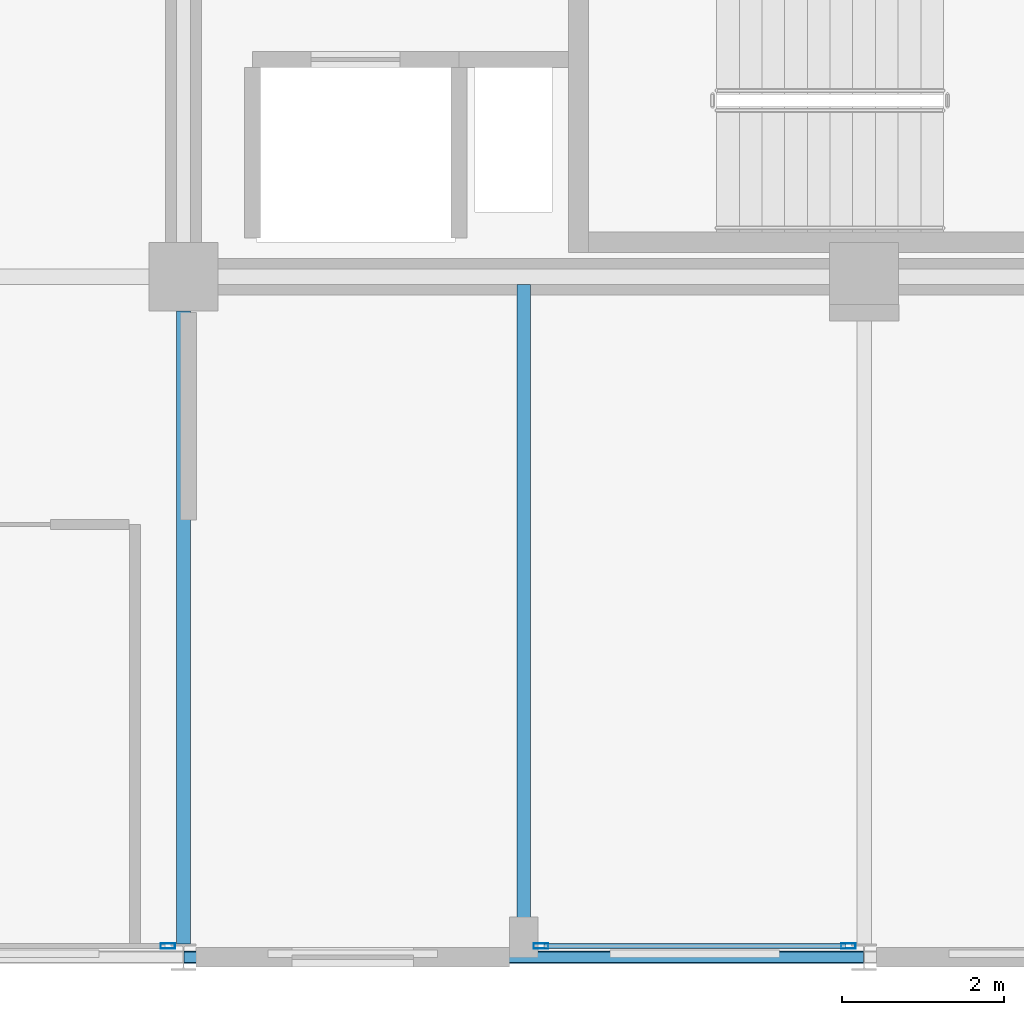
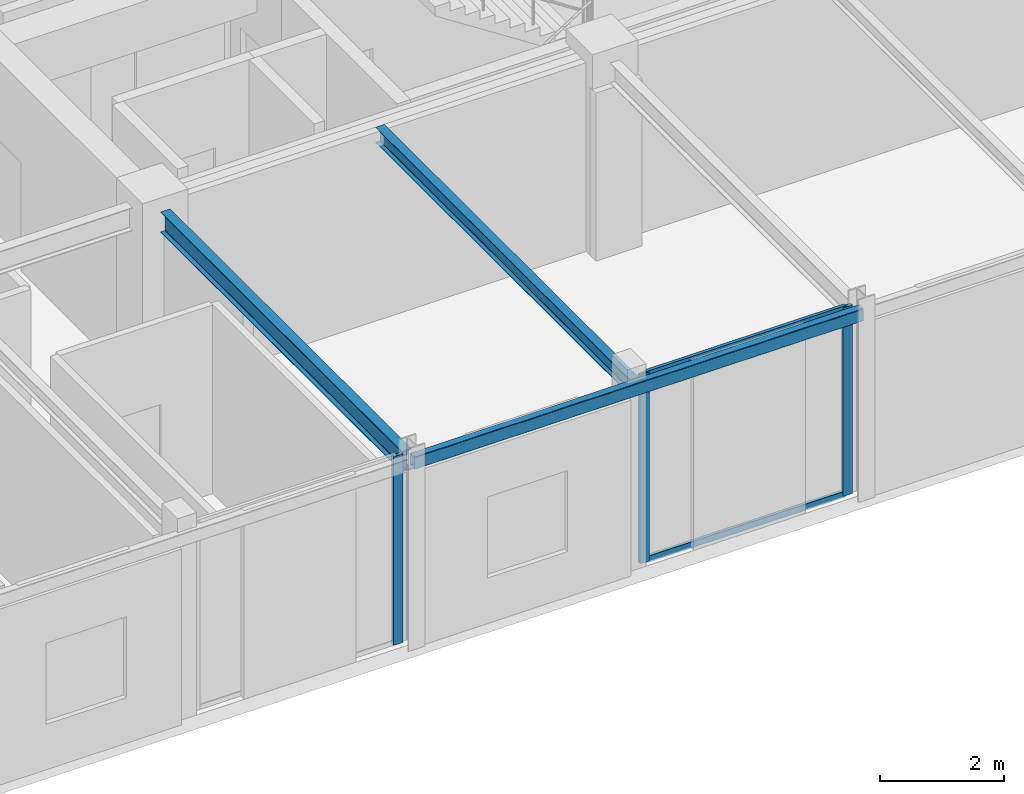
# One storey, part 7 of 26: 5 members, 3 beams, 2 elements without a shape of their own.
"""IFC4 building model written with IfcOpenShell, lengths in metres."""

import ifcopenshell
import ifcopenshell.guid

model = None  # the IFC model being written
_history = None  # IfcOwnerHistory: only IFC2X3 demands one
_inside = {}  # id of a spatial element -> (the spatial element, [elements in it])
_under = {}  # id of a project, library or spatial element -> (it, [spatial elements below it])
_declared = {}  # id of a project -> (the project, [libraries it declares])
_typed = {}  # id of a type object -> (the type object, [elements of that type])
_made_of = {}  # id of a material, layer set ... -> (it, [elements and type objects made of it])


def new_model(schema):
    """Start an empty IFC model of exactly this schema.

    Asked for "IFC4X3", IfcOpenShell would pick the latest addendum, in which some entities
    have other attributes; the version numbers below select the first issue.
    IFC2X3 requires an IfcOwnerHistory on every rooted entity: one is made here for all.
    """
    global model, _history
    if schema == "IFC4X3":
        model = ifcopenshell.file(schema_version=(4, 3, 0, 0))
    else:
        model = ifcopenshell.file(schema=schema)
    _inside.clear()
    _under.clear()
    _declared.clear()
    _typed.clear()
    _made_of.clear()
    _history = None
    if model.schema == "IFC2X3":
        org = make("IfcOrganization", Name="unknown")
        user = make(
            "IfcPersonAndOrganization",
            ThePerson=make("IfcPerson", FamilyName="unknown"),
            TheOrganization=org,
        )
        app = make(
            "IfcApplication",
            ApplicationDeveloper=org,
            Version="unknown",
            ApplicationFullName="unknown",
            ApplicationIdentifier="unknown",
        )
        _history = make(
            "IfcOwnerHistory",
            OwningUser=user,
            OwningApplication=app,
            ChangeAction="ADDED",
            CreationDate=0,
        )
    return model


def make(cls, **values):
    """One entity of the class cls with the attributes given. An attribute that is None is left unset."""
    return model.create_entity(
        cls, **{name: value for name, value in values.items() if value is not None}
    )


def rooted(cls, **values):
    """An entity with a GlobalId (a new one), such as an element, a storey or a relation."""
    return make(cls, GlobalId=ifcopenshell.guid.new(), OwnerHistory=_history, **values)


def si_unit(unit_type, name, prefix=None):
    """IfcSIUnit, for example si_unit("LENGTHUNIT", "METRE", prefix="MILLI")."""
    return make("IfcSIUnit", UnitType=unit_type, Prefix=prefix, Name=name)


def assignment(units):
    """IfcUnitAssignment: the units of a project."""
    return None if units is None else make("IfcUnitAssignment", Units=units)


def point(xyz):
    """IfcCartesianPoint."""
    return None if xyz is None else make("IfcCartesianPoint", Coordinates=xyz)


def direction(xyz):
    """IfcDirection."""
    return None if xyz is None else make("IfcDirection", DirectionRatios=xyz)


def frame(location, z_axis=None, x_axis=None):
    """IfcAxis2Placement3D, a coordinate frame: its origin and axes. An axis left out is left unset."""
    return make(
        "IfcAxis2Placement3D",
        Location=point(location),
        Axis=direction(z_axis),
        RefDirection=direction(x_axis),
    )


def frame_2d(location, x_axis=None):
    """IfcAxis2Placement2D, a coordinate frame in the plane: its origin and x axis."""
    return make(
        "IfcAxis2Placement2D", Location=point(location), RefDirection=direction(x_axis)
    )


def origin():
    """The frame at (0, 0, 0) with its axes left unset."""
    return frame((0.0, 0.0, 0.0))


def origin_2d():
    """The frame at (0, 0) in the plane with its x axis left unset."""
    return frame_2d((0.0, 0.0))


def place(relative_to, where):
    """IfcLocalPlacement: puts the frame where relative to a parent placement (None: the world)."""
    return make(
        "IfcLocalPlacement", PlacementRelTo=relative_to, RelativePlacement=where
    )


def context(
    kind, dimensions, precision=None, world=None, true_north=None, identifier=None
):
    """IfcGeometricRepresentationContext, for example the 3D "Model" context."""
    return make(
        "IfcGeometricRepresentationContext",
        ContextIdentifier=identifier,
        ContextType=kind,
        CoordinateSpaceDimension=dimensions,
        Precision=precision,
        WorldCoordinateSystem=world,
        TrueNorth=true_north,
    )


def subcontext(parent, identifier, kind, view, scale=None):
    """IfcGeometricRepresentationSubContext, for example "Body" below "Model"."""
    return make(
        "IfcGeometricRepresentationSubContext",
        ContextIdentifier=identifier,
        ContextType=kind,
        ParentContext=parent,
        TargetScale=scale,
        TargetView=view,
    )


def project(units=None, contexts=None):
    """IfcProject with its units and contexts."""
    return rooted(
        "IfcProject",
        Name="project",
        RepresentationContexts=contexts,
        UnitsInContext=assignment(units),
    )


def spatial(cls, under=None, at=None, **own):
    """A site, building, storey or space (cls), placed at a placement, below another one or the project."""
    s = rooted(cls, ObjectPlacement=at, **own)
    if under is not None:
        _under.setdefault(under.id(), (under, []))[1].append(s)
    return s


def profile(cls, at=None, kind="AREA", **sizes):
    """A parametric profile (cls). Its sizes go by their IFC names, for example OverallWidth=200.0."""
    return make(cls, ProfileType=kind, Position=at, **sizes)


def hollow_rectangle(**sizes):
    """IfcRectangleHollowProfileDef."""
    return profile("IfcRectangleHollowProfileDef", **sizes)


def i_section(**sizes):
    """IfcIShapeProfileDef."""
    return profile("IfcIShapeProfileDef", **sizes)


def extrude(swept, where, along, depth):
    """IfcExtrudedAreaSolid: the profile swept, set in the frame where, extruded along a direction by depth."""
    return make(
        "IfcExtrudedAreaSolid",
        SweptArea=swept,
        Position=where,
        ExtrudedDirection=direction(along),
        Depth=depth,
    )


def shape(context_of_items, identifier, shape_type, items):
    """IfcShapeRepresentation: the items that make up one representation, for example the "Body"."""
    return make(
        "IfcShapeRepresentation",
        ContextOfItems=context_of_items,
        RepresentationIdentifier=identifier,
        RepresentationType=shape_type,
        Items=items,
    )


def material(Name=None, Category=None):
    """IfcMaterial."""
    return make("IfcMaterial", Name=Name, Category=Category)


def layer(
    of_material, thickness, ventilated=None, Name=None, Category=None, Priority=None
):
    """IfcMaterialLayer: one layer of a wall or slab, of a material (None: an air gap)."""
    return make(
        "IfcMaterialLayer",
        Material=of_material,
        LayerThickness=thickness,
        IsVentilated=ventilated,
        Name=Name,
        Category=Category,
        Priority=Priority,
    )


def layer_set(layers, Name=None):
    """IfcMaterialLayerSet."""
    return make("IfcMaterialLayerSet", MaterialLayers=layers, LayerSetName=Name)


def material_profile(
    of_material, cross_section, Name=None, Category=None, Priority=None
):
    """IfcMaterialProfile: a cross section and its material."""
    return make(
        "IfcMaterialProfile",
        Name=Name,
        Material=of_material,
        Profile=cross_section,
        Priority=Priority,
        Category=Category,
    )


def profile_set(profiles, Name=None, composite=None):
    """IfcMaterialProfileSet."""
    return make(
        "IfcMaterialProfileSet",
        Name=Name,
        MaterialProfiles=profiles,
        CompositeProfile=composite,
    )


def made_of(thing, what):
    """Note that an element or type object is made of a material, layer set ...; save() writes the relation."""
    if what is not None:
        _made_of.setdefault(what.id(), (what, []))[1].append(thing)
    return thing


def type_object(cls, material=None, **own):
    """A type object (cls), such as IfcWallType, which elements share."""
    return made_of(rooted(cls, **own), material)


def element(
    cls,
    number,
    at=None,
    inside=None,
    cuts=None,
    type_object=None,
    material=None,
    context=None,
    identifier="Body",
    shape_type=None,
    held_by="IfcProductDefinitionShape",
    body=None,
    shapes=None,
    **own,
):
    """One element of the class cls, such as IfcWall. Its Tag is "e" and its number.

    at: its placement. inside: the storey or other place that contains it. cuts: it is an
    opening in that element (IfcRelVoidsElement). A single representation is given by context,
    identifier, shape_type and body (its items); several are given by shapes. held_by: the class
    of the entity that holds the representations. save() writes the other relations.
    """
    e = rooted(cls, Tag="e%d" % number, ObjectPlacement=at, **own)
    if body is not None:
        shapes = [shape(context, identifier, shape_type, body)]
    if shapes is not None:
        e.Representation = make(held_by, Representations=shapes)
    if inside is not None:
        _inside.setdefault(inside.id(), (inside, []))[1].append(e)
    if cuts is not None:
        rooted(
            "IfcRelVoidsElement", RelatingBuildingElement=cuts, RelatedOpeningElement=e
        )
    if type_object is not None:
        _typed.setdefault(type_object.id(), (type_object, []))[1].append(e)
    return made_of(e, material)


def aggregate(whole, parts):
    """IfcRelAggregates: a whole, such as a stair, and the parts it consists of."""
    return rooted("IfcRelAggregates", RelatingObject=whole, RelatedObjects=parts)


def save(model, path):
    """Write the relations noted so far, then the file.

    IfcRelAggregates (storeys below a building ...), IfcRelContainedInSpatialStructure (elements
    in a storey), IfcRelDefinesByType, IfcRelAssociatesMaterial and IfcRelDeclares: one each for
    every whole, place, type object, material and project.
    """
    for whole, parts in _under.values():
        aggregate(whole, parts)
    for where, things in _inside.values():
        rooted(
            "IfcRelContainedInSpatialStructure",
            RelatedElements=things,
            RelatingStructure=where,
        )
    for kind, things in _typed.values():
        rooted("IfcRelDefinesByType", RelatedObjects=things, RelatingType=kind)
    for what, things in _made_of.values():
        rooted("IfcRelAssociatesMaterial", RelatedObjects=things, RelatingMaterial=what)
    for by, libraries in _declared.values():
        rooted("IfcRelDeclares", RelatingContext=by, RelatedDefinitions=libraries)
    model.write(path)


model = new_model("IFC4")

# Units and contexts
model_context = context("Model", 3, precision=1e-05, world=origin(), true_north=direction((0.0, 1.0)))
body_context = subcontext(model_context, "Body", "Model", "MODEL_VIEW")
ifc_project = project(units=[si_unit("LENGTHUNIT", "METRE"), si_unit("AREAUNIT", "SQUARE_METRE"), si_unit("VOLUMEUNIT", "CUBIC_METRE"), si_unit("PLANEANGLEUNIT", "RADIAN"), si_unit("MASSUNIT", "GRAM", prefix="KILO")], contexts=[model_context])

# Site, building, storey
site_placement = place(None, origin())
site = spatial("IfcSite", under=ifc_project, at=site_placement, CompositionType="ELEMENT")
building_placement = place(site_placement, origin())
building = spatial("IfcBuilding", under=site, at=building_placement, Name="Nerrivon Quay Data Exchange", CompositionType="ELEMENT")
storey_placement = place(building_placement, frame((0.0, 0.0, 274.199951171875)))
storey = spatial("IfcBuildingStorey", under=building, at=storey_placement, Name="L65", CompositionType="ELEMENT", Elevation=274.199951171875)

# Beams
ifc_material_1 = material(Name="Steel Grade 350", Category="steel")
ifc_material_profile_1 = material_profile(ifc_material_1, i_section(OverallWidth=0.177978515625, OverallDepth=0.406005859375, WebThickness=0.0078125, FlangeThickness=0.0126953125, FilletRadius=0.011474609375, at=origin_2d()), Name="410UB59.7")
ifc_profile_set_1 = profile_set([ifc_material_profile_1], Name="Steel Grade 350")
beam_type_1 = type_object("IfcBeamType", Name="BM-J1-410UB60", PredefinedType="JOIST", material=ifc_profile_set_1)
beam_1_placement = place(storey_placement, frame((16.800048828125, 0.16357421875, 3.52197265625), z_axis=(0.0, 1.0, 0.0), x_axis=(-1.0, 0.0, 0.0)))
element("IfcBeam", 1, at=beam_1_placement, inside=storey, type_object=beam_type_1, Name="L65 NS Girder X=16.8 (0.0..8.4)", PredefinedType="JOIST", context=body_context, shape_type="SweptSolid", body=[
    extrude(i_section(OverallWidth=0.177978515625, OverallDepth=0.406005859375, WebThickness=0.0078125, FlangeThickness=0.0126953125, FilletRadius=0.011474609375, at=origin_2d()), origin(), (0.0, 0.0, 1.0), 7.8115234375),
])
ifc_material_profile_2 = material_profile(ifc_material_1, i_section(OverallWidth=0.1650390625, OverallDepth=0.303955078125, WebThickness=0.006103515625, FlangeThickness=0.01025390625, FilletRadius=0.011474609375, at=origin_2d()), Name="310UB40.4")
ifc_profile_set_2 = profile_set([ifc_material_profile_2], Name="Steel Grade 350")
beam_type_2 = type_object("IfcBeamType", Name="BM-J6-310UB40", PredefinedType="JOIST", material=ifc_profile_set_2)
beam_2_placement = place(storey_placement, frame((21.0, 0.074951171875, 3.572998046875), z_axis=(0.0, 1.0, 0.0), x_axis=(-1.0, 0.0, 0.0)))
element("IfcBeam", 2, at=beam_2_placement, inside=storey, type_object=beam_type_2, Name="L65 Secondary Joist X=21.0 (0.0..8.4)", PredefinedType="JOIST", context=body_context, shape_type="SweptSolid", body=[
    extrude(i_section(OverallWidth=0.1650390625, OverallDepth=0.303955078125, WebThickness=0.006103515625, FlangeThickness=0.01025390625, FilletRadius=0.011474609375, at=origin_2d()), origin(), (0.0, 0.0, 1.0), 8.22998046875),
])
ifc_material_2 = material(Name="Steel Grade C350L0 (350 MPa)", Category="steel")
ifc_material_profile_3 = material_profile(ifc_material_2, hollow_rectangle(XDim=0.14990234375, YDim=0.25, WallThickness=0.009033203125, InnerFilletRadius=0.013427734375, OuterFilletRadius=0.0224609375, at=origin_2d()), Name="250x150x9.0RHS")
ifc_profile_set_3 = profile_set([ifc_material_profile_3], Name="Steel Grade C350L0 (350 MPa)")
beam_type_3 = type_object("IfcBeamType", Name="BM-SP4-250x150RHS", PredefinedType="SPANDREL", material=ifc_profile_set_3)
beam_3_placement = place(storey_placement, frame((16.807861328125, 0.0, 3.60009765625), z_axis=(1.0, 0.0, 0.0), x_axis=(0.0, 1.0, 0.0)))
element("IfcBeam", 3, at=beam_3_placement, inside=storey, type_object=beam_type_3, Name="L65 EW Girder Y=0.0 (16.8..25.2)", PredefinedType="SPANDREL", context=body_context, shape_type="SweptSolid", body=[
    extrude(hollow_rectangle(XDim=0.14990234375, YDim=0.25, WallThickness=0.009033203125, InnerFilletRadius=0.013427734375, OuterFilletRadius=0.0224609375, at=origin_2d()), origin(), (0.0, 0.0, 1.0), 8.38427734375),
])

# Curtain wall, members
ifc_material_3 = material(Name="Anodised aluminium 6063-T6", Category="aluminium")
ifc_layer = layer(ifc_material_3, 0.195068359375)
ifc_layer_set = layer_set([ifc_layer], Name="Anodised aluminium 6063-T6")
curtain_wall_type = type_object("IfcCurtainWallType", Name="CW-SYS-06", PredefinedType="NOTDEFINED", material=ifc_layer_set)
curtain_wall_1_placement = place(storey_placement, origin())
curtain_wall_1 = element("IfcCurtainWall", 4, at=curtain_wall_1_placement, inside=storey, type_object=curtain_wall_type, Name="L65 Unitised Curtain Wall 4", PredefinedType="NOTDEFINED")
ifc_material_profile_4 = material_profile(ifc_material_3, hollow_rectangle(XDim=0.06494140625, YDim=0.179931640625, WallThickness=0.00341796875, at=origin_2d()), Name="ALU-MULL-180x65")
ifc_profile_set_4 = profile_set([ifc_material_profile_4], Name="Anodised aluminium 6063-T6")
member_type_1 = type_object("IfcMemberType", Name="CWM-180x65", PredefinedType="MULLION", material=ifc_profile_set_4)
member_1_placement = place(storey_placement, frame((25.007080078125, 0.139892578125, 0.0), z_axis=(0.0, 0.0, 1.0), x_axis=(0.0, -1.0, 0.0)))
member_1 = element("IfcMember", 5, at=member_1_placement, type_object=member_type_1, Name="CW06 mullion 1", PredefinedType="MULLION", context=body_context, shape_type="SweptSolid", body=[
    extrude(hollow_rectangle(XDim=0.06494140625, YDim=0.179931640625, WallThickness=0.00341796875, at=origin_2d()), origin(), (0.0, 0.0, 1.0), 3.72509765625),
])
member_2_placement = place(storey_placement, frame((21.21240234375, 0.139892578125, 0.0), z_axis=(0.0, 0.0, 1.0), x_axis=(0.0, -1.0, 0.0)))
member_2 = element("IfcMember", 6, at=member_2_placement, type_object=member_type_1, Name="CW06 mullion 2", PredefinedType="MULLION", context=body_context, shape_type="SweptSolid", body=[
    extrude(hollow_rectangle(XDim=0.06494140625, YDim=0.179931640625, WallThickness=0.00341796875, at=origin_2d()), origin(), (0.0, 0.0, 1.0), 3.72509765625),
])

# Curtain wall, member
curtain_wall_2_placement = place(storey_placement, origin())
curtain_wall_2 = element("IfcCurtainWall", 7, at=curtain_wall_2_placement, inside=storey, type_object=curtain_wall_type, Name="L65 Unitised Curtain Wall 6", PredefinedType="NOTDEFINED")
member_3_placement = place(storey_placement, frame((16.60693359375, 0.139892578125, 0.0), z_axis=(0.0, 0.0, 1.0), x_axis=(0.0, -1.0, 0.0)))
member_3 = element("IfcMember", 8, at=member_3_placement, type_object=member_type_1, Name="CW06 mullion 1", PredefinedType="MULLION", context=body_context, shape_type="SweptSolid", body=[
    extrude(hollow_rectangle(XDim=0.06494140625, YDim=0.179931640625, WallThickness=0.00341796875, at=origin_2d()), origin(), (0.0, 0.0, 1.0), 3.72509765625),
])
aggregate(curtain_wall_2, [member_3])

# Member
ifc_material_profile_5 = material_profile(ifc_material_3, hollow_rectangle(XDim=0.06005859375, YDim=0.1201171875, WallThickness=0.003173828125, at=origin_2d()), Name="ALU-TRAN-120x60")
ifc_profile_set_5 = profile_set([ifc_material_profile_5], Name="Anodised aluminium 6063-T6")
member_type_2 = type_object("IfcMemberType", Name="CWT-120x60", PredefinedType="USERDEFINED", material=ifc_profile_set_5)
member_4_placement = place(storey_placement, frame((24.969482421875, 0.139892578125, 0.032470703125), z_axis=(-1.0, 0.0, 0.0), x_axis=(0.0, -1.0, 0.0)))
member_4 = element("IfcMember", 9, at=member_4_placement, type_object=member_type_2, Name="CW06 transom 1.1", ObjectType="TRANSOM", PredefinedType="USERDEFINED", context=body_context, shape_type="SweptSolid", body=[
    extrude(hollow_rectangle(XDim=0.06005859375, YDim=0.1201171875, WallThickness=0.003173828125, at=origin_2d()), origin(), (0.0, 0.0, 1.0), 3.719482421875),
])

member_5_placement = place(storey_placement, frame((24.969482421875, 0.139892578125, 3.692626953125), z_axis=(-1.0, 0.0, 0.0), x_axis=(0.0, -1.0, 0.0)))
member_5 = element("IfcMember", 10, at=member_5_placement, type_object=member_type_2, Name="CW06 transom 1.2", ObjectType="TRANSOM", PredefinedType="USERDEFINED", context=body_context, shape_type="SweptSolid", body=[
    extrude(hollow_rectangle(XDim=0.06005859375, YDim=0.1201171875, WallThickness=0.003173828125, at=origin_2d()), origin(), (0.0, 0.0, 1.0), 3.719482421875),
])

aggregate(curtain_wall_1, [member_1, member_2, member_4, member_5])

save(model, "model.ifc")
